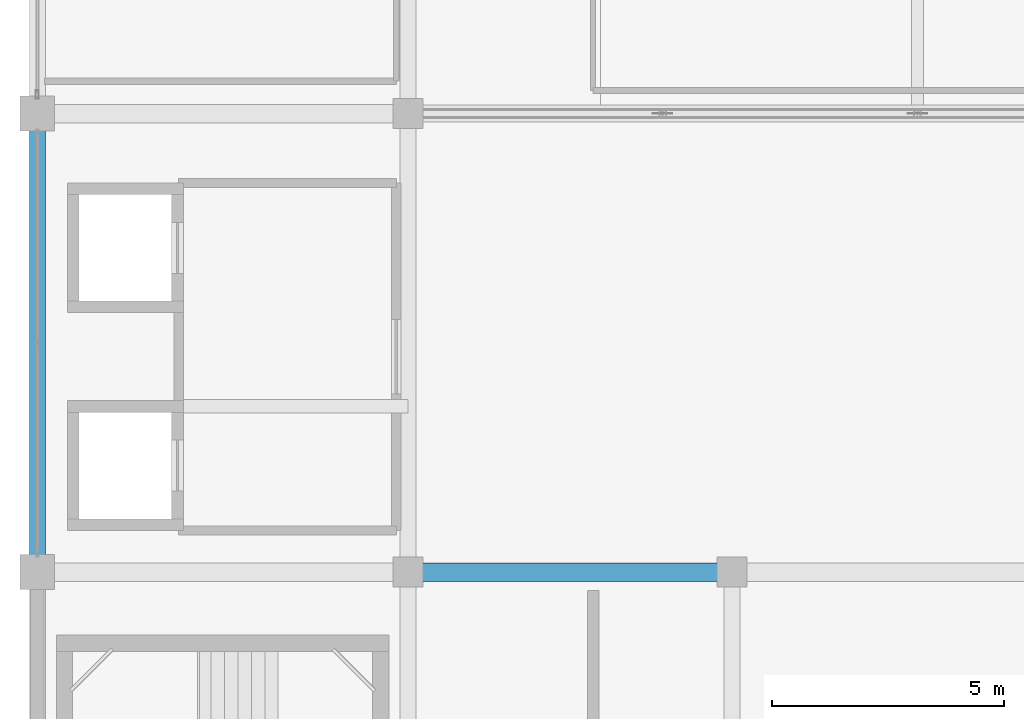
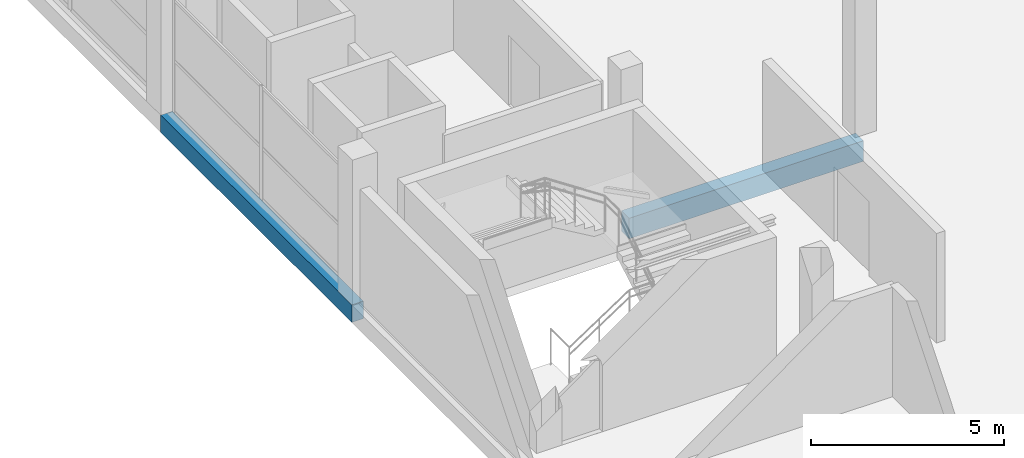
# One storey, part 7 of 69: 2 beams.
"""IFC4 building model written with IfcOpenShell, lengths in metres."""

from ifc_helpers import new_model, si_unit, direction, frame, origin, origin_2d, place, context, subcontext, project, spatial, rectangle, extrude, material, material_profile, profile_set, type_object, element, save


model = new_model("IFC4")

# Units and contexts
model_context = context("Model", 3, precision=1e-05, world=origin(), true_north=direction((0.0, 1.0)))
body_context = subcontext(model_context, "Body", "Model", "MODEL_VIEW")
ifc_project = project(units=[si_unit("LENGTHUNIT", "METRE"), si_unit("AREAUNIT", "SQUARE_METRE"), si_unit("VOLUMEUNIT", "CUBIC_METRE"), si_unit("PLANEANGLEUNIT", "RADIAN"), si_unit("MASSUNIT", "GRAM", prefix="KILO")], contexts=[model_context])

# Site, building, storey
site_placement = place(None, origin())
site = spatial("IfcSite", under=ifc_project, at=site_placement, CompositionType="ELEMENT")
building_placement = place(site_placement, origin())
building = spatial("IfcBuilding", under=site, at=building_placement, Name="Sillaruma Civic Art Gallery", CompositionType="ELEMENT")
storey_placement = place(building_placement, frame((0.0, 0.0, 42.330078125)))
storey = spatial("IfcBuildingStorey", under=building, at=storey_placement, Name="L08", CompositionType="ELEMENT", Elevation=42.330078125)

# Beams
ifc_material = material(Name="Concrete H35 (35 MPa)", Category="concrete")
ifc_material_profile_1 = material_profile(ifc_material, rectangle(XDim=0.39990234375, YDim=0.64990234375, at=origin_2d()), Name="RCB400x650")
ifc_profile_set_1 = profile_set([ifc_material_profile_1], Name="Concrete H35 (35 MPa)")
beam_type_1 = type_object("IfcBeamType", Name="BM-BEAM-RCB400x650", PredefinedType="BEAM", material=ifc_profile_set_1)
beam_1_placement = place(storey_placement, frame((70.0, 39.60009765625, -0.60498046875), z_axis=(1.0, 0.0, 0.0), x_axis=(0.0, 1.0, 0.0)))
element("IfcBeam", 1, at=beam_1_placement, inside=storey, type_object=beam_type_1, Name="Beam BM-05 (L07:5:G-H)", PredefinedType="BEAM", context=body_context, shape_type="SweptSolid", body=[
    extrude(rectangle(XDim=0.39990234375, YDim=0.64990234375, at=origin_2d()), origin(), (0.0, 0.0, 1.0), 7.0),
])
ifc_material_profile_2 = material_profile(ifc_material, rectangle(XDim=0.35009765625, YDim=0.550048828125, at=origin_2d()), Name="RCB350x550")
ifc_profile_set_2 = profile_set([ifc_material_profile_2], Name="Concrete H35 (35 MPa)")
beam_type_2 = type_object("IfcBeamType", Name="BM-SPANDREL-RCB350x550", PredefinedType="SPANDREL", material=ifc_profile_set_2)
beam_2_placement = place(storey_placement, frame((62.0, 39.60009765625, -0.55517578125), z_axis=(0.0, 1.0, 0.0), x_axis=(-1.0, 0.0, 0.0)))
element("IfcBeam", 2, at=beam_2_placement, inside=storey, type_object=beam_type_2, Name="Beam BS-04 (L07:F:5-6)", PredefinedType="SPANDREL", context=body_context, shape_type="SweptSolid", body=[
    extrude(rectangle(XDim=0.35009765625, YDim=0.550048828125, at=origin_2d()), origin(), (0.0, 0.0, 1.0), 9.89990234375),
])

save(model, "model.ifc")
